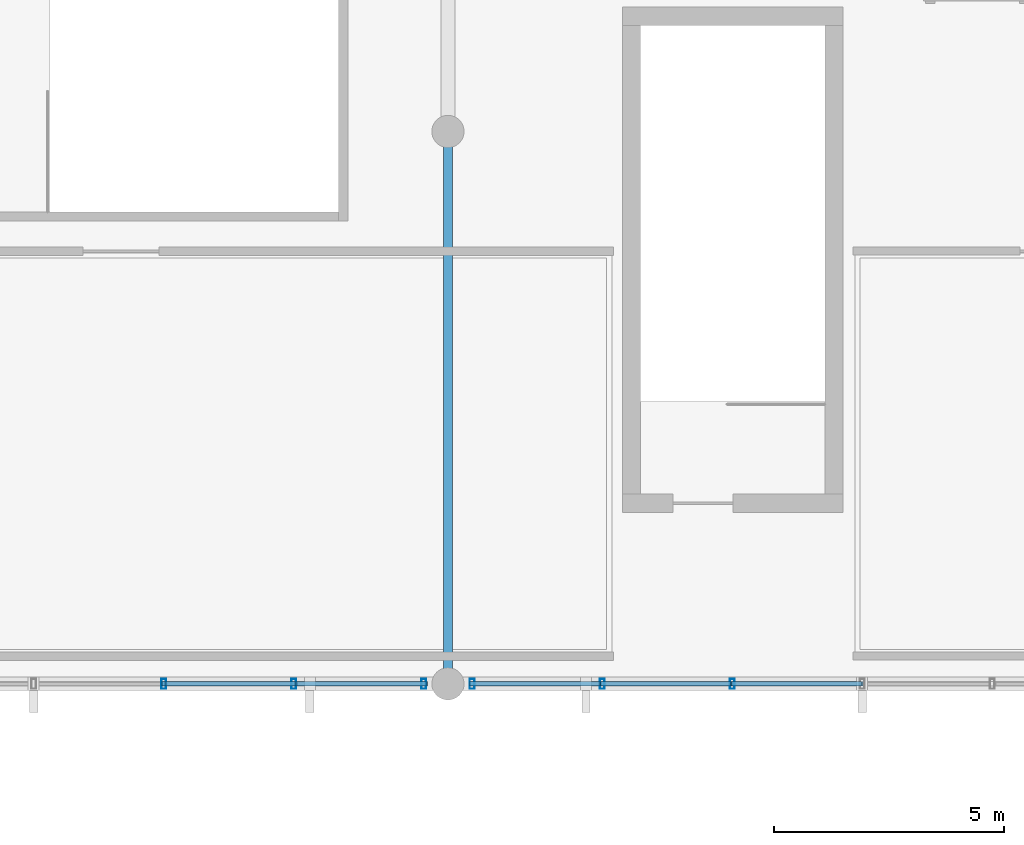
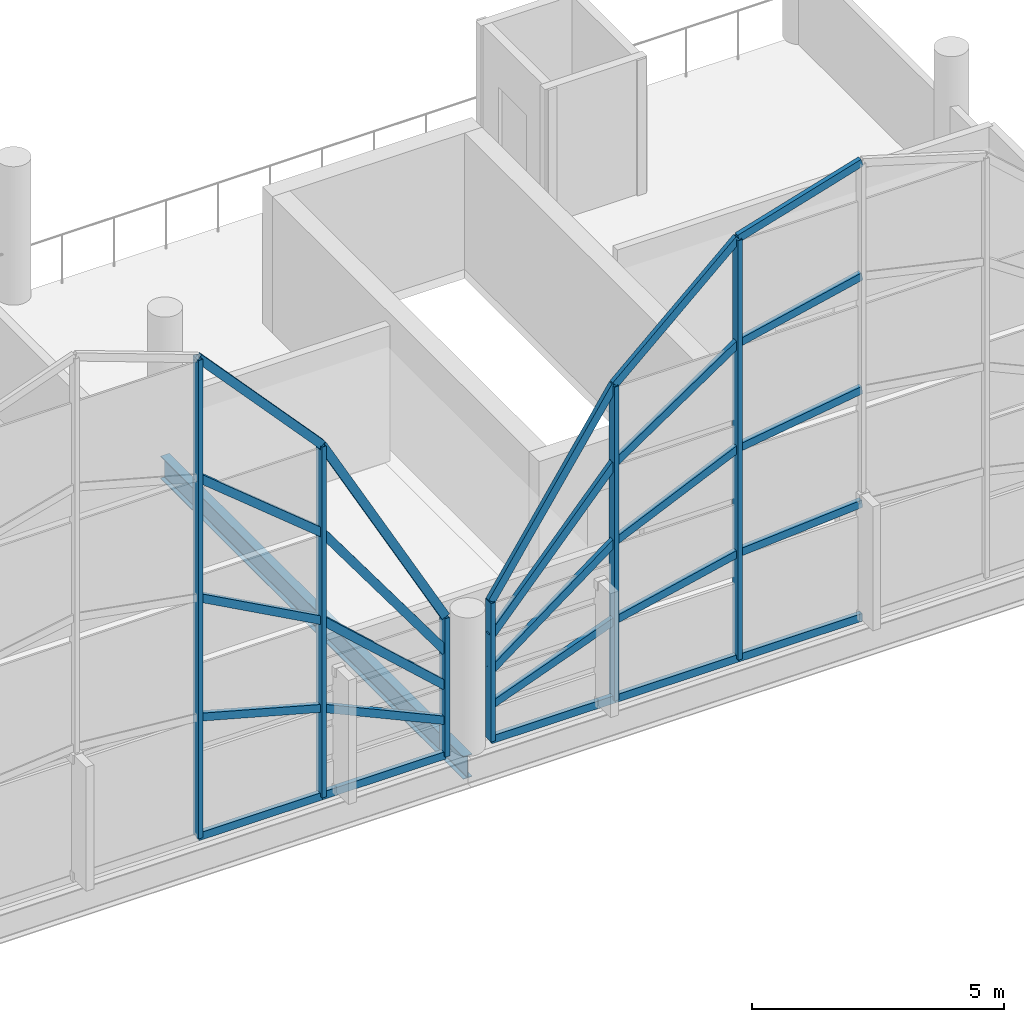
# One storey, part 31 of 116: 31 members, 1 beam, 2 elements without a shape of their own.
"""IFC4 building model written with IfcOpenShell, lengths in metres."""

from ifc_helpers import new_model, si_unit, direction, frame, origin, origin_2d, place, context, subcontext, project, spatial, hollow_rectangle, i_section, extrude, material, material_profile, profile_set, type_object, element, aggregate, save


model = new_model("IFC4")

# Units and contexts
model_context = context("Model", 3, precision=1e-05, world=origin(), true_north=direction((0.0, 1.0)))
body_context = subcontext(model_context, "Body", "Model", "MODEL_VIEW")
ifc_project = project(units=[si_unit("LENGTHUNIT", "METRE"), si_unit("AREAUNIT", "SQUARE_METRE"), si_unit("VOLUMEUNIT", "CUBIC_METRE"), si_unit("PLANEANGLEUNIT", "RADIAN"), si_unit("MASSUNIT", "GRAM", prefix="KILO")], contexts=[model_context])

# Site, building, storey
site_placement = place(None, origin())
site = spatial("IfcSite", under=ifc_project, at=site_placement, CompositionType="ELEMENT")
building_placement = place(site_placement, origin())
building = spatial("IfcBuilding", under=site, at=building_placement, Name="Chuanluo Vaults Station", CompositionType="ELEMENT")
storey_placement = place(building_placement, frame((0.0, 0.0, 10.800048828125)))
storey = spatial("IfcBuildingStorey", under=building, at=storey_placement, Name="L02", CompositionType="ELEMENT", Elevation=10.800048828125)

# Beam
ifc_material_1 = material(Name="Steel Q355C", Category="steel")
ifc_material_profile_1 = material_profile(ifc_material_1, i_section(OverallWidth=0.199951171875, OverallDepth=0.550048828125, WebThickness=0.010009765625, FlangeThickness=0.01611328125, FilletRadius=0.01806640625, at=origin_2d()))
ifc_profile_set_1 = profile_set([ifc_material_profile_1], Name="Steel Q355C")
beam_type = type_object("IfcBeamType", Name="BM-GRD-550", PredefinedType="USERDEFINED", material=ifc_profile_set_1)
beam_placement = place(storey_placement, frame((72.0, 18.0, -0.4951171875), z_axis=(0.0, 1.0, 0.0), x_axis=(-1.0, 0.0, 0.0)))
element("IfcBeam", 1, at=beam_placement, inside=storey, type_object=beam_type, Name="Floor girder BM:GY:L02:0626", ObjectType="GIRDER", PredefinedType="USERDEFINED", context=body_context, shape_type="SweptSolid", body=[
    extrude(i_section(OverallWidth=0.199951171875, OverallDepth=0.550048828125, WebThickness=0.010009765625, FlangeThickness=0.01611328125, FilletRadius=0.01806640625, at=origin_2d()), origin(), (0.0, 0.0, 1.0), 12.0),
])

# Curtain wall, members
ifc_material_2 = material(Name="Anodised aluminium 6063-T6", Category="aluminium")
curtain_wall_type_1 = type_object("IfcCurtainWallType", Name="CW-SYS-12", PredefinedType="NOTDEFINED", material=ifc_material_2)
curtain_wall_1_placement = place(storey_placement, origin())
curtain_wall_1 = element("IfcCurtainWall", 2, at=curtain_wall_1_placement, inside=storey, type_object=curtain_wall_type_1, Name="Vault V4 south arched curtain wall", PredefinedType="NOTDEFINED")
ifc_material_3 = material(Name="Anodised aluminium 6063-T6", Category="aluminium")
ifc_material_profile_2 = material_profile(ifc_material_3, hollow_rectangle(XDim=0.10498046875, YDim=0.219970703125, WallThickness=0.006103515625, at=origin_2d()))
ifc_profile_set_2 = profile_set([ifc_material_profile_2], Name="Anodised aluminium 6063-T6")
member_type_1 = type_object("IfcMemberType", Name="CWM-140", PredefinedType="MULLION", material=ifc_profile_set_2)
member_1_placement = place(storey_placement, frame((71.47509765625, 18.0, 0.0), z_axis=(0.0, 0.0, 1.0), x_axis=(-1.0, 0.0, 0.0)))
member_1 = element("IfcMember", 3, at=member_1_placement, type_object=member_type_1, Name="Vault V4 south arched curtain wall mullion 1", PredefinedType="MULLION", context=body_context, shape_type="SweptSolid", body=[
    extrude(hollow_rectangle(XDim=0.10498046875, YDim=0.219970703125, WallThickness=0.006103515625, at=origin_2d()), origin(), (0.0, 0.0, 1.0), 3.349853515625),
])
member_2_placement = place(storey_placement, frame((68.64990234375, 18.0, 0.0), z_axis=(0.0, 0.0, 1.0), x_axis=(-1.0, 0.0, 0.0)))
member_2 = element("IfcMember", 4, at=member_2_placement, type_object=member_type_1, Name="Vault V4 south arched curtain wall mullion 2", PredefinedType="MULLION", context=body_context, shape_type="SweptSolid", body=[
    extrude(hollow_rectangle(XDim=0.10498046875, YDim=0.219970703125, WallThickness=0.006103515625, at=origin_2d()), origin(), (0.0, 0.0, 1.0), 8.48876953125),
])
member_3_placement = place(storey_placement, frame((65.824951171875, 18.0, 0.0), z_axis=(0.0, 0.0, 1.0), x_axis=(-1.0, 0.0, 0.0)))
member_3 = element("IfcMember", 5, at=member_3_placement, type_object=member_type_1, Name="Vault V4 south arched curtain wall mullion 3", PredefinedType="MULLION", context=body_context, shape_type="SweptSolid", body=[
    extrude(hollow_rectangle(XDim=0.10498046875, YDim=0.219970703125, WallThickness=0.006103515625, at=origin_2d()), origin(), (0.0, 0.0, 1.0), 11.572265625),
])

ifc_material_4 = material(Name="Anodised aluminium 6063-T6", Category="aluminium")
curtain_wall_type_2 = type_object("IfcCurtainWallType", Name="CW-SYS-16", PredefinedType="NOTDEFINED", material=ifc_material_4)
curtain_wall_2_placement = place(storey_placement, origin())
curtain_wall_2 = element("IfcCurtainWall", 6, at=curtain_wall_2_placement, inside=storey, type_object=curtain_wall_type_2, Name="Vault V5 south arched curtain wall", PredefinedType="NOTDEFINED")
member_4_placement = place(storey_placement, frame((78.175048828125, 18.0, 0.0), z_axis=(0.0, 0.0, 1.0), x_axis=(-1.0, 0.0, 0.0)))
member_4 = element("IfcMember", 7, at=member_4_placement, type_object=member_type_1, Name="Vault V5 south arched curtain wall mullion 5", PredefinedType="MULLION", context=body_context, shape_type="SweptSolid", body=[
    extrude(hollow_rectangle(XDim=0.10498046875, YDim=0.219970703125, WallThickness=0.006103515625, at=origin_2d()), origin(), (0.0, 0.0, 1.0), 10.14990234375),
])
member_5_placement = place(storey_placement, frame((75.35009765625, 18.0, 0.0), z_axis=(0.0, 0.0, 1.0), x_axis=(-1.0, 0.0, 0.0)))
member_5 = element("IfcMember", 8, at=member_5_placement, type_object=member_type_1, Name="Vault V5 south arched curtain wall mullion 6", PredefinedType="MULLION", context=body_context, shape_type="SweptSolid", body=[
    extrude(hollow_rectangle(XDim=0.10498046875, YDim=0.219970703125, WallThickness=0.006103515625, at=origin_2d()), origin(), (0.0, 0.0, 1.0), 7.599853515625),
])
member_6_placement = place(storey_placement, frame((72.52490234375, 18.0, 0.0), z_axis=(0.0, 0.0, 1.0), x_axis=(-1.0, 0.0, 0.0)))
member_6 = element("IfcMember", 9, at=member_6_placement, type_object=member_type_1, Name="Vault V5 south arched curtain wall mullion 7", PredefinedType="MULLION", context=body_context, shape_type="SweptSolid", body=[
    extrude(hollow_rectangle(XDim=0.10498046875, YDim=0.219970703125, WallThickness=0.006103515625, at=origin_2d()), origin(), (0.0, 0.0, 1.0), 3.349853515625),
])

# Member
ifc_material_5 = material(Name="Anodised aluminium 6063-T6", Category="aluminium")
ifc_material_profile_3 = material_profile(ifc_material_5, hollow_rectangle(XDim=0.10498046875, YDim=0.18505859375, WallThickness=0.0048828125, at=origin_2d()))
ifc_profile_set_3 = profile_set([ifc_material_profile_3], Name="Anodised aluminium 6063-T6")
member_type_2 = type_object("IfcMemberType", Name="CWT-110", PredefinedType="USERDEFINED", material=ifc_profile_set_3)
member_7_placement = place(storey_placement, frame((71.47509765625, 18.0, 0.0), z_axis=(-1.0, 0.0, 0.0), x_axis=(0.0, -1.0, 0.0)))
member_7 = element("IfcMember", 10, at=member_7_placement, type_object=member_type_2, Name="Vault V4 south arched curtain wall transom 1.1", ObjectType="TRANSOM", PredefinedType="USERDEFINED", context=body_context, shape_type="SweptSolid", body=[
    extrude(hollow_rectangle(XDim=0.10498046875, YDim=0.18505859375, WallThickness=0.0048828125, at=origin_2d()), origin(), (0.0, 0.0, 1.0), 2.8251953125),
])

member_8_placement = place(storey_placement, frame((71.47509765625, 18.0, 0.83740234375), z_axis=(-0.910307200246, 0.0, 0.41393332939), x_axis=(0.0, -1.0, 0.0)))
member_8 = element("IfcMember", 11, at=member_8_placement, type_object=member_type_2, Name="Vault V4 south arched curtain wall transom 1.2", ObjectType="TRANSOM", PredefinedType="USERDEFINED", context=body_context, shape_type="SweptSolid", body=[
    extrude(hollow_rectangle(XDim=0.10498046875, YDim=0.18505859375, WallThickness=0.0048828125, at=origin_2d()), origin(), (0.0, 0.0, 1.0), 3.103515625),
])

member_9_placement = place(storey_placement, frame((71.47509765625, 18.0, 1.675048828125), z_axis=(-0.739812776152, 0.0, 0.672812794351), x_axis=(0.0, -1.0, 0.0)))
member_9 = element("IfcMember", 12, at=member_9_placement, type_object=member_type_2, Name="Vault V4 south arched curtain wall transom 1.3", ObjectType="TRANSOM", PredefinedType="USERDEFINED", context=body_context, shape_type="SweptSolid", body=[
    extrude(hollow_rectangle(XDim=0.10498046875, YDim=0.18505859375, WallThickness=0.0048828125, at=origin_2d()), origin(), (0.0, 0.0, 1.0), 3.81884765625),
])

member_10_placement = place(storey_placement, frame((71.47509765625, 18.0, 2.512451171875), z_axis=(-0.591193110181, 0.0, 0.806530040652), x_axis=(0.0, -1.0, 0.0)))
member_10 = element("IfcMember", 13, at=member_10_placement, type_object=member_type_2, Name="Vault V4 south arched curtain wall transom 1.4", ObjectType="TRANSOM", PredefinedType="USERDEFINED", context=body_context, shape_type="SweptSolid", body=[
    extrude(hollow_rectangle(XDim=0.10498046875, YDim=0.18505859375, WallThickness=0.0048828125, at=origin_2d()), origin(), (0.0, 0.0, 1.0), 4.77880859375),
])

member_11_placement = place(storey_placement, frame((71.47509765625, 18.0, 3.349853515625), z_axis=(-0.481760525969, 0.0, 0.876302913163), x_axis=(0.0, -1.0, 0.0)))
member_11 = element("IfcMember", 14, at=member_11_placement, type_object=member_type_2, Name="Vault V4 south arched curtain wall transom 1.5", ObjectType="TRANSOM", PredefinedType="USERDEFINED", context=body_context, shape_type="SweptSolid", body=[
    extrude(hollow_rectangle(XDim=0.10498046875, YDim=0.18505859375, WallThickness=0.0048828125, at=origin_2d()), origin(), (0.0, 0.0, 1.0), 5.8642578125),
])

member_12_placement = place(storey_placement, frame((68.64990234375, 18.0, 0.0), z_axis=(-1.0, 0.0, 0.0), x_axis=(0.0, -1.0, 0.0)))
member_12 = element("IfcMember", 15, at=member_12_placement, type_object=member_type_2, Name="Vault V4 south arched curtain wall transom 2.1", ObjectType="TRANSOM", PredefinedType="USERDEFINED", context=body_context, shape_type="SweptSolid", body=[
    extrude(hollow_rectangle(XDim=0.10498046875, YDim=0.18505859375, WallThickness=0.0048828125, at=origin_2d()), origin(), (0.0, 0.0, 1.0), 2.824951171875),
])

member_13_placement = place(storey_placement, frame((68.64990234375, 18.0, 2.1220703125), z_axis=(-0.964715704974, 0.0, 0.263293768586), x_axis=(0.0, -1.0, 0.0)))
member_13 = element("IfcMember", 16, at=member_13_placement, type_object=member_type_2, Name="Vault V4 south arched curtain wall transom 2.2", ObjectType="TRANSOM", PredefinedType="USERDEFINED", context=body_context, shape_type="SweptSolid", body=[
    extrude(hollow_rectangle(XDim=0.10498046875, YDim=0.18505859375, WallThickness=0.0048828125, at=origin_2d()), origin(), (0.0, 0.0, 1.0), 2.92822265625),
])

member_14_placement = place(storey_placement, frame((68.64990234375, 18.0, 4.244384765625), z_axis=(-0.877782482392, 0.0, 0.479059405091), x_axis=(0.0, -1.0, 0.0)))
member_14 = element("IfcMember", 17, at=member_14_placement, type_object=member_type_2, Name="Vault V4 south arched curtain wall transom 2.3", ObjectType="TRANSOM", PredefinedType="USERDEFINED", context=body_context, shape_type="SweptSolid", body=[
    extrude(hollow_rectangle(XDim=0.10498046875, YDim=0.18505859375, WallThickness=0.0048828125, at=origin_2d()), origin(), (0.0, 0.0, 1.0), 3.21826171875),
])

member_15_placement = place(storey_placement, frame((68.64990234375, 18.0, 6.36669921875), z_axis=(-0.773799359738, 0.0, 0.633430778277), x_axis=(0.0, -1.0, 0.0)))
member_15 = element("IfcMember", 18, at=member_15_placement, type_object=member_type_2, Name="Vault V4 south arched curtain wall transom 2.4", ObjectType="TRANSOM", PredefinedType="USERDEFINED", context=body_context, shape_type="SweptSolid", body=[
    extrude(hollow_rectangle(XDim=0.10498046875, YDim=0.18505859375, WallThickness=0.0048828125, at=origin_2d()), origin(), (0.0, 0.0, 1.0), 3.650634765625),
])

member_16_placement = place(storey_placement, frame((68.64990234375, 18.0, 8.48876953125), z_axis=(-0.675518398471, 0.0, 0.737343131336), x_axis=(0.0, -1.0, 0.0)))
member_16 = element("IfcMember", 19, at=member_16_placement, type_object=member_type_2, Name="Vault V4 south arched curtain wall transom 2.5", ObjectType="TRANSOM", PredefinedType="USERDEFINED", context=body_context, shape_type="SweptSolid", body=[
    extrude(hollow_rectangle(XDim=0.10498046875, YDim=0.18505859375, WallThickness=0.0048828125, at=origin_2d()), origin(), (0.0, 0.0, 1.0), 4.181884765625),
])

aggregate(curtain_wall_1, [member_1, member_2, member_3, member_7, member_8, member_9, member_10, member_11, member_12, member_13, member_14, member_15, member_16])

member_17_placement = place(storey_placement, frame((81.0, 18.0, 0.0), z_axis=(-1.0, 0.0, 0.0), x_axis=(0.0, -1.0, 0.0)))
member_17 = element("IfcMember", 20, at=member_17_placement, type_object=member_type_2, Name="Vault V5 south arched curtain wall transom 4.1", ObjectType="TRANSOM", PredefinedType="USERDEFINED", context=body_context, shape_type="SweptSolid", body=[
    extrude(hollow_rectangle(XDim=0.10498046875, YDim=0.18505859375, WallThickness=0.0048828125, at=origin_2d()), origin(), (0.0, 0.0, 1.0), 2.824951171875),
])

member_18_placement = place(storey_placement, frame((81.0, 18.0, 2.75), z_axis=(-0.997178866147, 0.0, -0.075062033741), x_axis=(0.0, -1.0, 0.0)))
member_18 = element("IfcMember", 21, at=member_18_placement, type_object=member_type_2, Name="Vault V5 south arched curtain wall transom 4.2", ObjectType="TRANSOM", PredefinedType="USERDEFINED", context=body_context, shape_type="SweptSolid", body=[
    extrude(hollow_rectangle(XDim=0.10498046875, YDim=0.18505859375, WallThickness=0.0048828125, at=origin_2d()), origin(), (0.0, 0.0, 1.0), 2.8330078125),
])

member_19_placement = place(storey_placement, frame((81.0, 18.0, 5.5), z_axis=(-0.988869178476, 0.0, -0.148787593097), x_axis=(0.0, -1.0, 0.0)))
member_19 = element("IfcMember", 22, at=member_19_placement, type_object=member_type_2, Name="Vault V5 south arched curtain wall transom 4.3", ObjectType="TRANSOM", PredefinedType="USERDEFINED", context=body_context, shape_type="SweptSolid", body=[
    extrude(hollow_rectangle(XDim=0.10498046875, YDim=0.18505859375, WallThickness=0.0048828125, at=origin_2d()), origin(), (0.0, 0.0, 1.0), 2.856689453125),
])

member_20_placement = place(storey_placement, frame((81.0, 18.0, 8.25), z_axis=(-0.975473711009, 0.0, -0.220115967457), x_axis=(0.0, -1.0, 0.0)))
member_20 = element("IfcMember", 23, at=member_20_placement, type_object=member_type_2, Name="Vault V5 south arched curtain wall transom 4.4", ObjectType="TRANSOM", PredefinedType="USERDEFINED", context=body_context, shape_type="SweptSolid", body=[
    extrude(hollow_rectangle(XDim=0.10498046875, YDim=0.18505859375, WallThickness=0.0048828125, at=origin_2d()), origin(), (0.0, 0.0, 1.0), 2.89599609375),
])

member_21_placement = place(storey_placement, frame((81.0, 18.0, 11.0), z_axis=(-0.957582224888, 0.0, -0.288160168271), x_axis=(0.0, -1.0, 0.0)))
member_21 = element("IfcMember", 24, at=member_21_placement, type_object=member_type_2, Name="Vault V5 south arched curtain wall transom 4.5", ObjectType="TRANSOM", PredefinedType="USERDEFINED", context=body_context, shape_type="SweptSolid", body=[
    extrude(hollow_rectangle(XDim=0.10498046875, YDim=0.18505859375, WallThickness=0.0048828125, at=origin_2d()), origin(), (0.0, 0.0, 1.0), 2.9501953125),
])

member_22_placement = place(storey_placement, frame((78.175048828125, 18.0, 0.0), z_axis=(-1.0, 0.0, 0.0), x_axis=(0.0, -1.0, 0.0)))
member_22 = element("IfcMember", 25, at=member_22_placement, type_object=member_type_2, Name="Vault V5 south arched curtain wall transom 5.1", ObjectType="TRANSOM", PredefinedType="USERDEFINED", context=body_context, shape_type="SweptSolid", body=[
    extrude(hollow_rectangle(XDim=0.10498046875, YDim=0.18505859375, WallThickness=0.0048828125, at=origin_2d()), origin(), (0.0, 0.0, 1.0), 2.824951171875),
])

member_23_placement = place(storey_placement, frame((78.175048828125, 18.0, 2.537353515625), z_axis=(-0.975473711009, 0.0, -0.220115967457), x_axis=(0.0, -1.0, 0.0)))
member_23 = element("IfcMember", 26, at=member_23_placement, type_object=member_type_2, Name="Vault V5 south arched curtain wall transom 5.2", ObjectType="TRANSOM", PredefinedType="USERDEFINED", context=body_context, shape_type="SweptSolid", body=[
    extrude(hollow_rectangle(XDim=0.10498046875, YDim=0.18505859375, WallThickness=0.0048828125, at=origin_2d()), origin(), (0.0, 0.0, 1.0), 2.89599609375),
])

member_24_placement = place(storey_placement, frame((78.175048828125, 18.0, 5.074951171875), z_axis=(-0.911477323867, 0.0, -0.41135032281), x_axis=(0.0, -1.0, 0.0)))
member_24 = element("IfcMember", 27, at=member_24_placement, type_object=member_type_2, Name="Vault V5 south arched curtain wall transom 5.3", ObjectType="TRANSOM", PredefinedType="USERDEFINED", context=body_context, shape_type="SweptSolid", body=[
    extrude(hollow_rectangle(XDim=0.10498046875, YDim=0.18505859375, WallThickness=0.0048828125, at=origin_2d()), origin(), (0.0, 0.0, 1.0), 3.099365234375),
])

member_25_placement = place(storey_placement, frame((78.175048828125, 18.0, 7.612548828125), z_axis=(-0.828065516064, 0.0, -0.56063134153), x_axis=(0.0, -1.0, 0.0)))
member_25 = element("IfcMember", 28, at=member_25_placement, type_object=member_type_2, Name="Vault V5 south arched curtain wall transom 5.4", ObjectType="TRANSOM", PredefinedType="USERDEFINED", context=body_context, shape_type="SweptSolid", body=[
    extrude(hollow_rectangle(XDim=0.10498046875, YDim=0.18505859375, WallThickness=0.0048828125, at=origin_2d()), origin(), (0.0, 0.0, 1.0), 3.41162109375),
])

member_26_placement = place(storey_placement, frame((78.175048828125, 18.0, 10.14990234375), z_axis=(-0.742301278751, 0.0, -0.670066274009), x_axis=(0.0, -1.0, 0.0)))
member_26 = element("IfcMember", 29, at=member_26_placement, type_object=member_type_2, Name="Vault V5 south arched curtain wall transom 5.5", ObjectType="TRANSOM", PredefinedType="USERDEFINED", context=body_context, shape_type="SweptSolid", body=[
    extrude(hollow_rectangle(XDim=0.10498046875, YDim=0.18505859375, WallThickness=0.0048828125, at=origin_2d()), origin(), (0.0, 0.0, 1.0), 3.8056640625),
])

member_27_placement = place(storey_placement, frame((75.35009765625, 18.0, 0.0), z_axis=(-1.0, 0.0, 0.0), x_axis=(0.0, -1.0, 0.0)))
member_27 = element("IfcMember", 30, at=member_27_placement, type_object=member_type_2, Name="Vault V5 south arched curtain wall transom 6.1", ObjectType="TRANSOM", PredefinedType="USERDEFINED", context=body_context, shape_type="SweptSolid", body=[
    extrude(hollow_rectangle(XDim=0.10498046875, YDim=0.18505859375, WallThickness=0.0048828125, at=origin_2d()), origin(), (0.0, 0.0, 1.0), 2.8251953125),
])

member_28_placement = place(storey_placement, frame((75.35009765625, 18.0, 1.89990234375), z_axis=(-0.935996355614, 0.0, -0.352009690601), x_axis=(0.0, -1.0, 0.0)))
member_28 = element("IfcMember", 31, at=member_28_placement, type_object=member_type_2, Name="Vault V5 south arched curtain wall transom 6.2", ObjectType="TRANSOM", PredefinedType="USERDEFINED", context=body_context, shape_type="SweptSolid", body=[
    extrude(hollow_rectangle(XDim=0.10498046875, YDim=0.18505859375, WallThickness=0.0048828125, at=origin_2d()), origin(), (0.0, 0.0, 1.0), 3.018310546875),
])

member_29_placement = place(storey_placement, frame((75.35009765625, 18.0, 3.800048828125), z_axis=(-0.799170508407, 0.0, -0.601104398996), x_axis=(0.0, -1.0, 0.0)))
member_29 = element("IfcMember", 32, at=member_29_placement, type_object=member_type_2, Name="Vault V5 south arched curtain wall transom 6.3", ObjectType="TRANSOM", PredefinedType="USERDEFINED", context=body_context, shape_type="SweptSolid", body=[
    extrude(hollow_rectangle(XDim=0.10498046875, YDim=0.18505859375, WallThickness=0.0048828125, at=origin_2d()), origin(), (0.0, 0.0, 1.0), 3.53515625),
])

member_30_placement = place(storey_placement, frame((75.35009765625, 18.0, 5.699951171875), z_axis=(-0.663295841514, 0.0, -0.748357285413), x_axis=(0.0, -1.0, 0.0)))
member_30 = element("IfcMember", 33, at=member_30_placement, type_object=member_type_2, Name="Vault V5 south arched curtain wall transom 6.4", ObjectType="TRANSOM", PredefinedType="USERDEFINED", context=body_context, shape_type="SweptSolid", body=[
    extrude(hollow_rectangle(XDim=0.10498046875, YDim=0.18505859375, WallThickness=0.0048828125, at=origin_2d()), origin(), (0.0, 0.0, 1.0), 4.25927734375),
])

member_31_placement = place(storey_placement, frame((75.35009765625, 18.0, 7.599853515625), z_axis=(-0.553595725421, 0.0, -0.832785550304), x_axis=(0.0, -1.0, 0.0)))
member_31 = element("IfcMember", 34, at=member_31_placement, type_object=member_type_2, Name="Vault V5 south arched curtain wall transom 6.5", ObjectType="TRANSOM", PredefinedType="USERDEFINED", context=body_context, shape_type="SweptSolid", body=[
    extrude(hollow_rectangle(XDim=0.10498046875, YDim=0.18505859375, WallThickness=0.0048828125, at=origin_2d()), origin(), (0.0, 0.0, 1.0), 5.103271484375),
])

aggregate(curtain_wall_2, [member_4, member_5, member_6, member_17, member_18, member_19, member_20, member_21, member_22, member_23, member_24, member_25, member_26, member_27, member_28, member_29, member_30, member_31])

save(model, "model.ifc")
